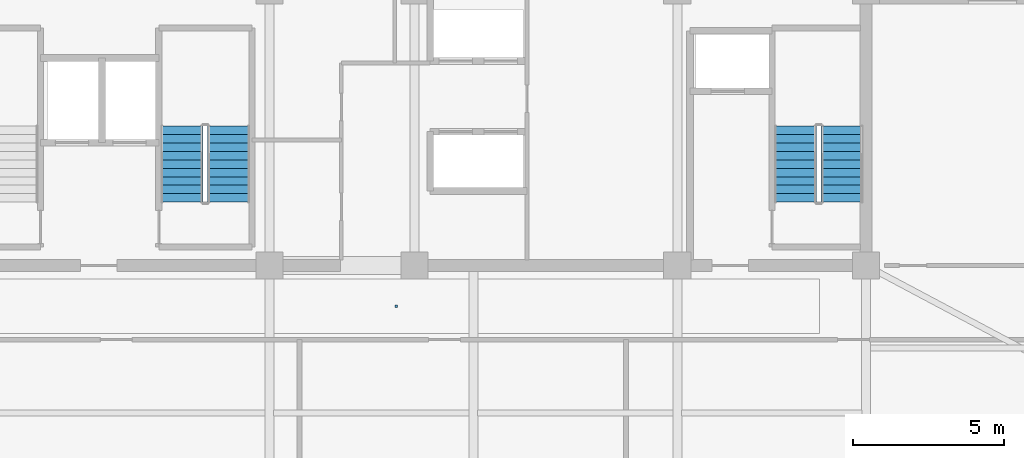
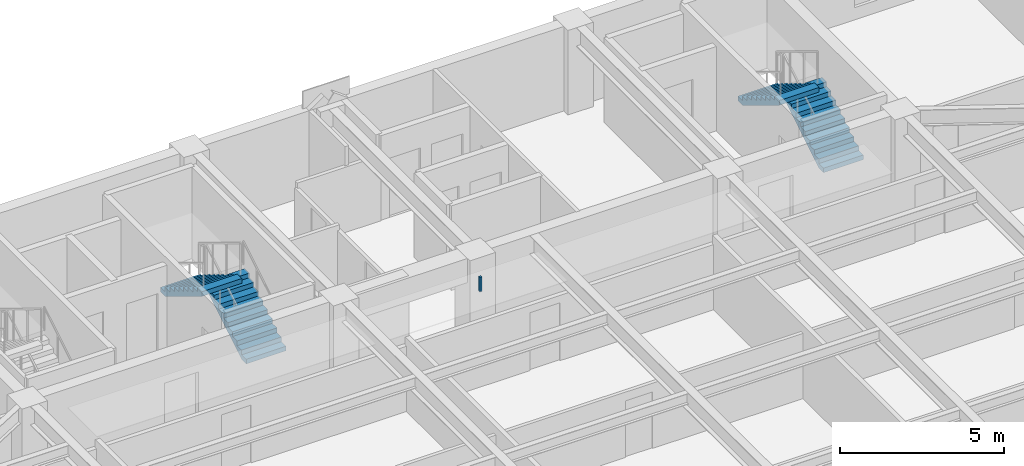
# One storey, part 11 of 15: 4 stair flights, 1 discrete accessory, 2 elements without a shape of their own.
"""IFC4 building model written with IfcOpenShell, lengths in metres."""

from ifc_helpers import new_model, si_unit, direction, frame, origin, origin_2d, place, context, subcontext, project, spatial, polyline, rectangle, outline, extrude, source, transform, mapped, material, type_object, element, aggregate, save


model = new_model("IFC4")

# Units and contexts
model_context = context("Model", 3, precision=1e-05, world=origin(), true_north=direction((0.0, 1.0)))
body_context = subcontext(model_context, "Body", "Model", "MODEL_VIEW")
ifc_project = project(units=[si_unit("LENGTHUNIT", "METRE"), si_unit("AREAUNIT", "SQUARE_METRE"), si_unit("VOLUMEUNIT", "CUBIC_METRE"), si_unit("PLANEANGLEUNIT", "RADIAN"), si_unit("MASSUNIT", "GRAM", prefix="KILO")], contexts=[model_context])

# Site, building, storey
site_placement = place(None, origin())
site = spatial("IfcSite", under=ifc_project, at=site_placement, CompositionType="ELEMENT")
building_placement = place(site_placement, origin())
building = spatial("IfcBuilding", under=site, at=building_placement, Name="Giltprow Tower", CompositionType="ELEMENT")
storey_placement = place(building_placement, frame((0.0, 0.0, 275.699951171875)))
storey = spatial("IfcBuildingStorey", under=building, at=storey_placement, Name="L71", CompositionType="ELEMENT", Elevation=275.699951171875)

# Stair, stair flights
ifc_material_1 = material(Name="Concrete C40", Category="concrete")
stair_type_1 = type_object("IfcStairType", Name="STR-ST-2", PredefinedType="HALF_TURN_STAIR", material=ifc_material_1)
stair_1_placement = place(storey_placement, origin())
stair_1 = element("IfcStair", 1, at=stair_1_placement, inside=storey, type_object=stair_type_1, Name="L71 Core Exit Stair ST-2", PredefinedType="HALF_TURN_STAIR")
stair_flight_type_1 = type_object("IfcStairFlightType", Name="SFL-ST-2", PredefinedType="STRAIGHT", material=ifc_material_1)
stair_flight_1_placement = place(storey_placement, frame((29.4599609375, 39.550048828125, 0.0), z_axis=(0.0, 0.0, 1.0), x_axis=(0.0, 1.0, 0.0)))
stair_flight_1 = element("IfcStairFlight", 2, at=stair_flight_1_placement, type_object=stair_flight_type_1, Name="ST-2 flight 1", NumberOfRisers=10, NumberOfTreads=9, PredefinedType="STRAIGHT", RiserHeight=0.17, TreadLength=0.28, context=body_context, shape_type="SweptSolid", body=[
    extrude(outline(polyline([(0.0, 0.0), (0.0, 0.169921875), (0.280029296875, 0.169921875), (0.280029296875, 0.340087890625), (0.56005859375, 0.340087890625), (0.56005859375, 0.510009765625), (0.840087890625, 0.510009765625), (0.840087890625, 0.679931640625), (1.1201171875, 0.679931640625), (1.1201171875, 0.85009765625), (1.39990234375, 0.85009765625), (1.39990234375, 1.02001953125), (1.679931640625, 1.02001953125), (1.679931640625, 1.18994140625), (1.9599609375, 1.18994140625), (1.9599609375, 1.360107421875), (2.239990234375, 1.360107421875), (2.239990234375, 1.530029296875), (2.52001953125, 1.530029296875), (2.52001953125, 1.699951171875), (2.52001953125, 1.354736328125), (0.288818359375, 0.0), (0.0, 0.0)])), frame((0.0, 0.699951171875, 0.0), z_axis=(0.0, -1.0, 0.0), x_axis=(1.0, 0.0, 0.0)), (0.0, 0.0, 1.0), 1.39990234375),
])
stair_flight_2_placement = place(storey_placement, frame((27.89990234375, 42.070068359375, 1.699951171875), z_axis=(0.0, 0.0, 1.0), x_axis=(0.0, -1.0, 0.0)))
stair_flight_2 = element("IfcStairFlight", 3, at=stair_flight_2_placement, type_object=stair_flight_type_1, Name="ST-2 flight 2", NumberOfRisers=10, NumberOfTreads=9, PredefinedType="STRAIGHT", RiserHeight=0.17, TreadLength=0.28, context=body_context, shape_type="SweptSolid", body=[
    extrude(outline(polyline([(0.0, 0.0), (0.0, 0.169921875), (0.280029296875, 0.169921875), (0.280029296875, 0.340087890625), (0.56005859375, 0.340087890625), (0.56005859375, 0.510009765625), (0.840087890625, 0.510009765625), (0.840087890625, 0.679931640625), (1.1201171875, 0.679931640625), (1.1201171875, 0.85009765625), (1.39990234375, 0.85009765625), (1.39990234375, 1.02001953125), (1.679931640625, 1.02001953125), (1.679931640625, 1.18994140625), (1.9599609375, 1.18994140625), (1.9599609375, 1.360107421875), (2.239990234375, 1.360107421875), (2.239990234375, 1.530029296875), (2.52001953125, 1.530029296875), (2.52001953125, 1.699951171875), (2.52001953125, 1.354736328125), (0.288818359375, 0.0), (0.0, 0.0)])), frame((0.0, 0.699951171875, 0.0), z_axis=(0.0, -1.0, 0.0), x_axis=(1.0, 0.0, 0.0)), (0.0, 0.0, 1.0), 1.39990234375),
])
aggregate(stair_1, [stair_flight_1, stair_flight_2])

stair_type_2 = type_object("IfcStairType", Name="STR-ST-3", PredefinedType="HALF_TURN_STAIR", material=ifc_material_1)
stair_2_placement = place(storey_placement, origin())
stair_2 = element("IfcStair", 4, at=stair_2_placement, inside=storey, type_object=stair_type_2, Name="L71 Core Exit Stair ST-3", PredefinedType="HALF_TURN_STAIR")
stair_flight_type_2 = type_object("IfcStairFlightType", Name="SFL-ST-3", PredefinedType="STRAIGHT", material=ifc_material_1)
stair_flight_3_placement = place(storey_placement, frame((49.760009765625, 39.550048828125, 0.0), z_axis=(0.0, 0.0, 1.0), x_axis=(0.0, 1.0, 0.0)))
stair_flight_3 = element("IfcStairFlight", 5, at=stair_flight_3_placement, type_object=stair_flight_type_2, Name="ST-3 flight 1", NumberOfRisers=10, NumberOfTreads=9, PredefinedType="STRAIGHT", RiserHeight=0.17, TreadLength=0.28, context=body_context, shape_type="SweptSolid", body=[
    extrude(outline(polyline([(0.0, 0.0), (0.0, 0.169921875), (0.280029296875, 0.169921875), (0.280029296875, 0.340087890625), (0.56005859375, 0.340087890625), (0.56005859375, 0.510009765625), (0.840087890625, 0.510009765625), (0.840087890625, 0.679931640625), (1.1201171875, 0.679931640625), (1.1201171875, 0.85009765625), (1.39990234375, 0.85009765625), (1.39990234375, 1.02001953125), (1.679931640625, 1.02001953125), (1.679931640625, 1.18994140625), (1.9599609375, 1.18994140625), (1.9599609375, 1.360107421875), (2.239990234375, 1.360107421875), (2.239990234375, 1.530029296875), (2.52001953125, 1.530029296875), (2.52001953125, 1.699951171875), (2.52001953125, 1.354736328125), (0.288818359375, 0.0), (0.0, 0.0)])), frame((0.0, 0.699951171875, 0.0), z_axis=(0.0, -1.0, 0.0), x_axis=(1.0, 0.0, 0.0)), (0.0, 0.0, 1.0), 1.39990234375),
])
stair_flight_4_placement = place(storey_placement, frame((48.199951171875, 42.070068359375, 1.699951171875), z_axis=(0.0, 0.0, 1.0), x_axis=(0.0, -1.0, 0.0)))
stair_flight_4 = element("IfcStairFlight", 6, at=stair_flight_4_placement, type_object=stair_flight_type_2, Name="ST-3 flight 2", NumberOfRisers=10, NumberOfTreads=9, PredefinedType="STRAIGHT", RiserHeight=0.17, TreadLength=0.28, context=body_context, shape_type="SweptSolid", body=[
    extrude(outline(polyline([(0.0, 0.0), (0.0, 0.169921875), (0.280029296875, 0.169921875), (0.280029296875, 0.340087890625), (0.56005859375, 0.340087890625), (0.56005859375, 0.510009765625), (0.840087890625, 0.510009765625), (0.840087890625, 0.679931640625), (1.1201171875, 0.679931640625), (1.1201171875, 0.85009765625), (1.39990234375, 0.85009765625), (1.39990234375, 1.02001953125), (1.679931640625, 1.02001953125), (1.679931640625, 1.18994140625), (1.9599609375, 1.18994140625), (1.9599609375, 1.360107421875), (2.239990234375, 1.360107421875), (2.239990234375, 1.530029296875), (2.52001953125, 1.530029296875), (2.52001953125, 1.699951171875), (2.52001953125, 1.354736328125), (0.288818359375, 0.0), (0.0, 0.0)])), frame((0.0, 0.699951171875, 0.0), z_axis=(0.0, -1.0, 0.0), x_axis=(1.0, 0.0, 0.0)), (0.0, 0.0, 1.0), 1.39990234375),
])
aggregate(stair_2, [stair_flight_3, stair_flight_4])

# Discrete accessory
ifc_material_2 = material(Name="Structural steel Q355B", Category="steel")
discrete_accessory_type = type_object("IfcDiscreteAccessoryType", Name="ACC-CLG-HANGER", PredefinedType="BRACKET", material=ifc_material_2)
shared_shape = source(origin(), body_context, "Body", "SweptSolid", [
    extrude(rectangle(XDim=0.080078125, YDim=0.080078125, at=origin_2d()), origin(), (0.0, 0.0, 1.0), 0.5400390625),
])
discrete_accessory_placement = place(storey_placement, frame((35.0, 36.10009765625, 2.6201171875), z_axis=(0.0, 0.0, 1.0), x_axis=(1.0, 0.0, 0.0)))
element("IfcDiscreteAccessory", 7, at=discrete_accessory_placement, inside=storey, type_object=discrete_accessory_type, Name="L71 Residence Gallery Ceiling Suspension Hanger", PredefinedType="BRACKET", context=body_context, shape_type="MappedRepresentation", body=[
    mapped(shared_shape, transform((0.0, 0.0, 0.0), x_axis=(1.0, 0.0, 0.0), y_axis=(0.0, 1.0, 0.0), z_axis=(0.0, 0.0, 1.0), scale=1.0)),
])

save(model, "model.ifc")
